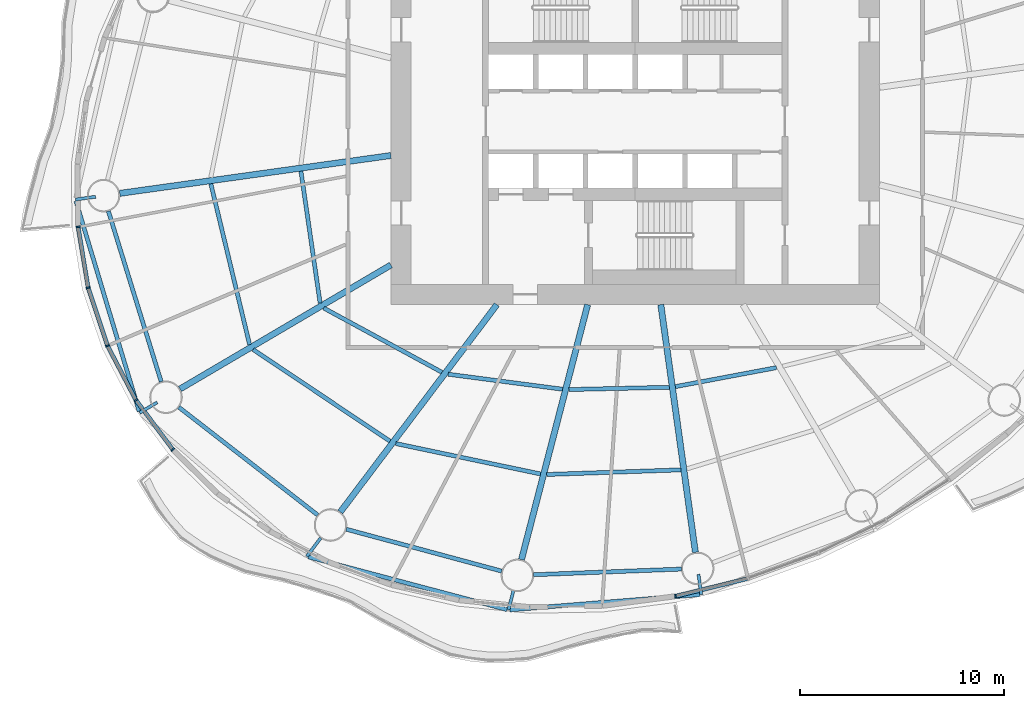
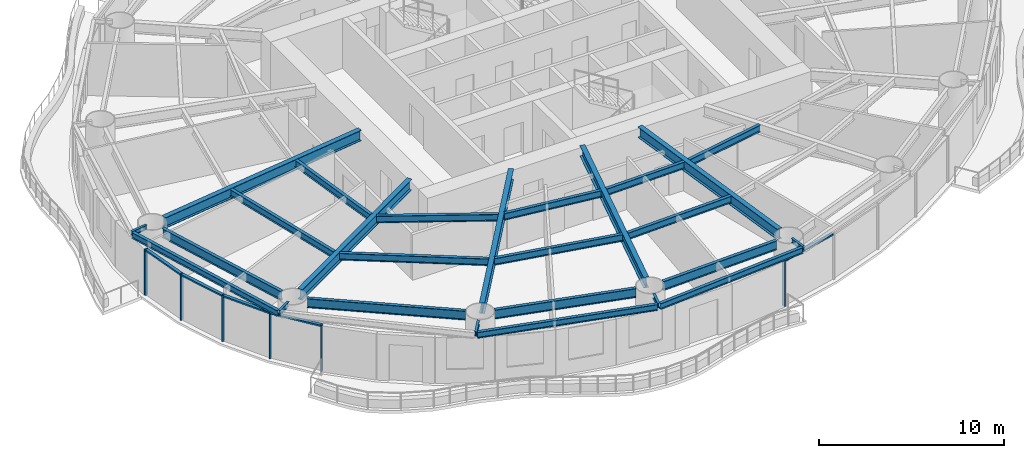
# One storey, part 2 of 14: 26 beams, 11 members, 5 elements without a shape of their own.
"""IFC4 building model written with IfcOpenShell, lengths in metres."""

from ifc_helpers import new_model, si_unit, direction, frame, origin, origin_2d, place, context, subcontext, project, spatial, rectangle, i_section, extrude, material, material_profile, profile_set, type_object, element, aggregate, save


model = new_model("IFC4")

# Units and contexts
model_context = context("Model", 3, precision=1e-05, world=origin(), true_north=direction((0.0, 1.0)))
body_context = subcontext(model_context, "Body", "Model", "MODEL_VIEW")
ifc_project = project(units=[si_unit("LENGTHUNIT", "METRE"), si_unit("AREAUNIT", "SQUARE_METRE"), si_unit("VOLUMEUNIT", "CUBIC_METRE"), si_unit("PLANEANGLEUNIT", "RADIAN"), si_unit("MASSUNIT", "GRAM", prefix="KILO")], contexts=[model_context])

# Site, building, storey
site_placement = place(None, origin())
site = spatial("IfcSite", under=ifc_project, at=site_placement, CompositionType="ELEMENT")
building_placement = place(site_placement, origin())
building = spatial("IfcBuilding", under=site, at=building_placement, Name="Vermilion Reach Broadcast Tower", CompositionType="ELEMENT")
storey_placement = place(building_placement, frame((0.0, 0.0, 124.60009765625)))
storey = spatial("IfcBuildingStorey", under=building, at=storey_placement, Name="L29", CompositionType="ELEMENT", Elevation=124.60009765625)

# Beams
ifc_material_1 = material(Name="Steel S355J2", Category="steel")
ifc_material_profile_1 = material_profile(ifc_material_1, i_section(OverallWidth=0.199951171875, OverallDepth=0.39990234375, WebThickness=0.008056640625, FlangeThickness=0.012939453125, at=origin_2d()), Name="S355J2 HN 400x200x8x13")
ifc_profile_set_1 = profile_set([ifc_material_profile_1], Name="Steel S355J2")
beam_type_1 = type_object("IfcBeamType", Name="EB2 HN 400x200x8x13", PredefinedType="BEAM", material=ifc_profile_set_1)
beam_1_placement = place(storey_placement, frame((-33.4677734375, -3.91162109375, 3.25), z_axis=(0.288145646921, -0.957586594601, 0.0), x_axis=(0.957586594601, 0.288145646921, 0.0)))
element("IfcBeam", 1, at=beam_1_placement, inside=storey, type_object=beam_type_1, Name="Edge beam EB2-08", PredefinedType="BEAM", context=body_context, shape_type="SweptSolid", body=[
    extrude(i_section(OverallWidth=0.199951171875, OverallDepth=0.39990234375, WebThickness=0.008056640625, FlangeThickness=0.012939453125, at=origin_2d()), origin(), (0.0, 0.0, 1.0), 10.780029296875),
])
beam_2_placement = place(storey_placement, frame((-22.052001953125, -21.3876953125, 3.25), z_axis=(0.966518703459, -0.256596172738, 0.0), x_axis=(0.256596172738, 0.966518703459, 0.0)))
element("IfcBeam", 2, at=beam_2_placement, inside=storey, type_object=beam_type_1, Name="Edge beam EB2-10", PredefinedType="BEAM", context=body_context, shape_type="SweptSolid", body=[
    extrude(i_section(OverallWidth=0.199951171875, OverallDepth=0.39990234375, WebThickness=0.008056640625, FlangeThickness=0.012939453125, at=origin_2d()), origin(), (0.0, 0.0, 1.0), 10.08935546875),
])
beam_3_placement = place(storey_placement, frame((-12.14892578125, -23.989501953125, 3.25), z_axis=(0.996787401261, 0.080092925325, 0.0), x_axis=(-0.080092925325, 0.996787401261, 0.0)))
element("IfcBeam", 3, at=beam_3_placement, inside=storey, type_object=beam_type_1, Name="Edge beam EB2-11", PredefinedType="BEAM", context=body_context, shape_type="SweptSolid", body=[
    extrude(i_section(OverallWidth=0.199951171875, OverallDepth=0.39990234375, WebThickness=0.008056640625, FlangeThickness=0.012939453125, at=origin_2d()), origin(), (0.0, 0.0, 1.0), 9.348876953125),
])
ifc_material_2 = material(Name="Steel S355J2", Category="steel")
ifc_material_profile_2 = material_profile(ifc_material_2, i_section(OverallWidth=0.300048828125, OverallDepth=0.699951171875, WebThickness=0.012939453125, FlangeThickness=0.02392578125, at=origin_2d()), Name="S355J2 HN 700x300x13x24")
ifc_profile_set_2 = profile_set([ifc_material_profile_2], Name="Steel S355J2")
beam_type_2 = type_object("IfcBeamType", Name="G2 HN 700x300x13x24", PredefinedType="BEAM", material=ifc_profile_set_2)
beam_4_placement = place(storey_placement, frame((-18.0, -1.67578125, 3.099853515625), z_axis=(-0.990389457618, -0.138306623986, 0.0), x_axis=(0.138306623986, -0.990389457618, 0.0)))
element("IfcBeam", 4, at=beam_4_placement, inside=storey, type_object=beam_type_2, Name="Girder G2-08", PredefinedType="BEAM", context=body_context, shape_type="SweptSolid", body=[
    extrude(i_section(OverallWidth=0.300048828125, OverallDepth=0.699951171875, WebThickness=0.012939453125, FlangeThickness=0.02392578125, at=origin_2d()), origin(), (0.0, 0.0, 1.0), 13.445556640625),
])
beam_5_placement = place(storey_placement, frame((-18.0, -7.054443359375, 3.099853515625), z_axis=(-0.862071616631, -0.506786471603, 0.0), x_axis=(0.506786471603, -0.862071616631, 0.0)))
element("IfcBeam", 5, at=beam_5_placement, inside=storey, type_object=beam_type_2, Name="Girder G2-09", PredefinedType="BEAM", context=body_context, shape_type="SweptSolid", body=[
    extrude(i_section(OverallWidth=0.300048828125, OverallDepth=0.699951171875, WebThickness=0.012939453125, FlangeThickness=0.02392578125, at=origin_2d()), origin(), (0.0, 0.0, 1.0), 12.01025390625),
])
beam_6_placement = place(storey_placement, frame((-12.794189453125, -9.0, 3.099853515625), z_axis=(-0.602519842365, -0.798103902733, 0.0), x_axis=(0.798103902733, -0.602519842365, 0.0)))
element("IfcBeam", 6, at=beam_6_placement, inside=storey, type_object=beam_type_2, Name="Girder G2-10", PredefinedType="BEAM", context=body_context, shape_type="SweptSolid", body=[
    extrude(i_section(OverallWidth=0.300048828125, OverallDepth=0.699951171875, WebThickness=0.012939453125, FlangeThickness=0.02392578125, at=origin_2d()), origin(), (0.0, 0.0, 1.0), 12.758544921875),
])
beam_7_placement = place(storey_placement, frame((-8.3359375, -9.0, 3.099853515625), z_axis=(-0.25121695316, -0.967930804575, 0.0), x_axis=(0.967930804575, -0.25121695316, 0.0)))
element("IfcBeam", 7, at=beam_7_placement, inside=storey, type_object=beam_type_2, Name="Girder G2-11", PredefinedType="BEAM", context=body_context, shape_type="SweptSolid", body=[
    extrude(i_section(OverallWidth=0.300048828125, OverallDepth=0.699951171875, WebThickness=0.012939453125, FlangeThickness=0.02392578125, at=origin_2d()), origin(), (0.0, 0.0, 1.0), 12.93505859375),
])
beam_8_placement = place(storey_placement, frame((-4.7431640625, -9.0, 3.099853515625), z_axis=(0.138317561234, -0.990387930184, 0.0), x_axis=(0.990387930184, 0.138317561234, 0.0)))
element("IfcBeam", 8, at=beam_8_placement, inside=storey, type_object=beam_type_2, Name="Girder G2-12", PredefinedType="BEAM", context=body_context, shape_type="SweptSolid", body=[
    extrude(i_section(OverallWidth=0.300048828125, OverallDepth=0.699951171875, WebThickness=0.012939453125, FlangeThickness=0.02392578125, at=origin_2d()), origin(), (0.0, 0.0, 1.0), 12.281494140625),
])
ifc_material_3 = material(Name="Steel S355J2", Category="steel")
ifc_material_profile_3 = material_profile(ifc_material_3, i_section(OverallWidth=0.14990234375, OverallDepth=0.300048828125, WebThickness=0.006591796875, FlangeThickness=0.009033203125, at=origin_2d()), Name="S355J2 HN 300x150x6.5x9")
ifc_profile_set_3 = profile_set([ifc_material_profile_3], Name="Steel S355J2")
beam_type_3 = type_object("IfcBeamType", Name="GS2 HN 300x150x6.5x9", PredefinedType="BEAM", material=ifc_profile_set_3)
for number, where, z_axis, x_axis, name in (
    (9, (-32.499267578125, -3.70068359375, 3.2998046875), (-0.990408003315, -0.13817375644, 0.0), (0.13817375644, -0.990408003315, 0.0), "Cantilever stub GS2-08"),
    (10, (-29.477294921875, -13.801513671875, 3.2998046875), (-0.862047161964, -0.506828068037, 0.0), (0.506828068037, -0.862047161964, 0.0), "Cantilever stub GS2-09"),
):
    element("IfcBeam", number, at=place(storey_placement, frame(where, z_axis=z_axis, x_axis=x_axis)), inside=storey, type_object=beam_type_3, Name=name, PredefinedType="BEAM", context=body_context, shape_type="SweptSolid", body=[
        extrude(i_section(OverallWidth=0.14990234375, OverallDepth=0.300048828125, WebThickness=0.006591796875, FlangeThickness=0.009033203125, at=origin_2d()), origin(), (0.0, 0.0, 1.0), 1.0),
    ])
beam_9_placement = place(storey_placement, frame((-21.4453125, -20.45947265625, 3.2998046875), z_axis=(-0.602504984048, -0.798115119639, 0.0), x_axis=(0.798115119639, -0.602504984048, 0.0)))
element("IfcBeam", 11, at=beam_9_placement, inside=storey, type_object=beam_type_3, Name="Cantilever stub GS2-10", PredefinedType="BEAM", context=body_context, shape_type="SweptSolid", body=[
    extrude(i_section(OverallWidth=0.14990234375, OverallDepth=0.300048828125, WebThickness=0.006591796875, FlangeThickness=0.009033203125, at=origin_2d()), origin(), (0.0, 0.0, 1.0), 1.136962890625),
])
for number, where, z_axis, x_axis, name in (
    (12, (-11.976806640625, -23.02783203125, 3.2998046875), (-0.251199368006, -0.967935368459, 0.0), (0.967935368459, -0.251199368006, 0.0), "Cantilever stub GS2-11"),
    (13, (-2.8935546875, -22.244384765625, 3.2998046875), (0.138413206764, -0.990374567622, 0.0), (0.990374567622, 0.138413206764, 0.0), "Cantilever stub GS2-12"),
):
    element("IfcBeam", number, at=place(storey_placement, frame(where, z_axis=z_axis, x_axis=x_axis)), inside=storey, type_object=beam_type_3, Name=name, PredefinedType="BEAM", context=body_context, shape_type="SweptSolid", body=[
        extrude(i_section(OverallWidth=0.14990234375, OverallDepth=0.300048828125, WebThickness=0.006591796875, FlangeThickness=0.009033203125, at=origin_2d()), origin(), (0.0, 0.0, 1.0), 1.0),
    ])
ifc_material_4 = material(Name="Steel S355J2", Category="steel")
ifc_material_profile_4 = material_profile(ifc_material_4, i_section(OverallWidth=0.199951171875, OverallDepth=0.60009765625, WebThickness=0.010986328125, FlangeThickness=0.01708984375, at=origin_2d()), Name="S355J2 HN 600x200x11x17")
ifc_profile_set_4 = profile_set([ifc_material_profile_4], Name="Steel S355J2")
beam_type_4 = type_object("IfcBeamType", Name="RB2 HN 600x200x11x17", PredefinedType="BEAM", material=ifc_profile_set_4)
beam_10_placement = place(storey_placement, frame((-31.872314453125, -4.410400390625, 3.14990234375), z_axis=(0.295788439635, -0.95525347368, 0.0), x_axis=(0.95525347368, 0.295788439635, 0.0)))
element("IfcBeam", 14, at=beam_10_placement, inside=storey, type_object=beam_type_4, Name="Ring beam RB2-08", PredefinedType="BEAM", context=body_context, shape_type="SweptSolid", body=[
    extrude(i_section(OverallWidth=0.199951171875, OverallDepth=0.60009765625, WebThickness=0.010986328125, FlangeThickness=0.01708984375, at=origin_2d()), origin(), (0.0, 0.0, 1.0), 8.763916015625),
])
beam_11_placement = place(storey_placement, frame((-28.41162109375, -14.037109375, 3.14990234375), z_axis=(0.789825712432, -0.613331349257, 0.0), x_axis=(0.613331349257, 0.789825712432, 0.0)))
element("IfcBeam", 15, at=beam_11_placement, inside=storey, type_object=beam_type_4, Name="Ring beam RB2-09", PredefinedType="BEAM", context=body_context, shape_type="SweptSolid", body=[
    extrude(i_section(OverallWidth=0.199951171875, OverallDepth=0.60009765625, WebThickness=0.010986328125, FlangeThickness=0.01708984375, at=origin_2d()), origin(), (0.0, 0.0, 1.0), 8.63037109375),
])
beam_12_placement = place(storey_placement, frame((-20.19091796875, -20.029296875, 3.14990234375), z_axis=(0.965541463834, -0.260249268234, 0.0), x_axis=(0.260249268234, 0.965541463834, 0.0)))
element("IfcBeam", 16, at=beam_12_placement, inside=storey, type_object=beam_type_4, Name="Ring beam RB2-10", PredefinedType="BEAM", context=body_context, shape_type="SweptSolid", body=[
    extrude(i_section(OverallWidth=0.199951171875, OverallDepth=0.60009765625, WebThickness=0.010986328125, FlangeThickness=0.01708984375, at=origin_2d()), origin(), (0.0, 0.0, 1.0), 7.904541015625),
])
beam_13_placement = place(storey_placement, frame((-10.987060546875, -22.263916015625, 3.14990234375), z_axis=(0.999268558327, 0.038240663418, 0.0), x_axis=(-0.038240663418, 0.999268558327, 0.0)))
element("IfcBeam", 17, at=beam_13_placement, inside=storey, type_object=beam_type_4, Name="Ring beam RB2-11", PredefinedType="BEAM", context=body_context, shape_type="SweptSolid", body=[
    extrude(i_section(OverallWidth=0.199951171875, OverallDepth=0.60009765625, WebThickness=0.010986328125, FlangeThickness=0.01708984375, at=origin_2d()), origin(), (0.0, 0.0, 1.0), 7.259033203125),
])
ifc_material_5 = material(Name="Steel S355J2", Category="steel")
ifc_material_profile_5 = material_profile(ifc_material_5, i_section(OverallWidth=0.199951171875, OverallDepth=0.449951171875, WebThickness=0.009033203125, FlangeThickness=0.013916015625, at=origin_2d()), Name="S355J2 HN 450x200x9x14")
ifc_profile_set_5 = profile_set([ifc_material_profile_5], Name="Steel S355J2")
beam_type_5 = type_object("IfcBeamType", Name="SB2 HN 450x200x9x14", PredefinedType="BEAM", material=ifc_profile_set_5)
beam_14_placement = place(storey_placement, frame((-22.417236328125, -2.444091796875, 3.224853515625), z_axis=(0.143973706518, -0.989581513485, 0.0), x_axis=(0.989581513485, 0.143973706518, 0.0)))
element("IfcBeam", 18, at=beam_14_placement, inside=storey, type_object=beam_type_5, Name="Secondary beam SB2-08-1", PredefinedType="BEAM", context=body_context, shape_type="SweptSolid", body=[
    extrude(i_section(OverallWidth=0.199951171875, OverallDepth=0.449951171875, WebThickness=0.009033203125, FlangeThickness=0.013916015625, at=origin_2d()), origin(), (0.0, 0.0, 1.0), 6.547119140625),
])
beam_15_placement = place(storey_placement, frame((-26.84228515625, -3.06201171875, 3.224853515625), z_axis=(0.234260568382, -0.972173845617, 0.0), x_axis=(0.972173845617, 0.234260568382, 0.0)))
element("IfcBeam", 19, at=beam_15_placement, inside=storey, type_object=beam_type_5, Name="Secondary beam SB2-08-2", PredefinedType="BEAM", context=body_context, shape_type="SweptSolid", body=[
    extrude(i_section(OverallWidth=0.199951171875, OverallDepth=0.449951171875, WebThickness=0.009033203125, FlangeThickness=0.013916015625, at=origin_2d()), origin(), (0.0, 0.0, 1.0), 8.123779296875),
])
beam_16_placement = place(storey_placement, frame((-21.29736328125, -9.1669921875, 3.224853515625), z_axis=(0.878713106774, -0.477350265512, 0.0), x_axis=(0.477350265512, 0.878713106774, 0.0)))
element("IfcBeam", 20, at=beam_16_placement, inside=storey, type_object=beam_type_5, Name="Secondary beam SB2-09-1", PredefinedType="BEAM", context=body_context, shape_type="SweptSolid", body=[
    extrude(i_section(OverallWidth=0.199951171875, OverallDepth=0.449951171875, WebThickness=0.009033203125, FlangeThickness=0.013916015625, at=origin_2d()), origin(), (0.0, 0.0, 1.0), 6.60888671875),
])
beam_17_placement = place(storey_placement, frame((-24.76416015625, -11.204833984375, 3.224853515625), z_axis=(0.830915400975, -0.556398774641, 0.0), x_axis=(0.556398774641, 0.830915400975, 0.0)))
element("IfcBeam", 21, at=beam_17_placement, inside=storey, type_object=beam_type_5, Name="Secondary beam SB2-09-2", PredefinedType="BEAM", context=body_context, shape_type="SweptSolid", body=[
    extrude(i_section(OverallWidth=0.199951171875, OverallDepth=0.449951171875, WebThickness=0.009033203125, FlangeThickness=0.013916015625, at=origin_2d()), origin(), (0.0, 0.0, 1.0), 8.087646484375),
])
beam_18_placement = place(storey_placement, frame((-15.185546875, -12.416748046875, 3.224853515625), z_axis=(0.991498686864, -0.130116693573, 0.0), x_axis=(0.130116693573, 0.991498686864, 0.0)))
element("IfcBeam", 22, at=beam_18_placement, inside=storey, type_object=beam_type_5, Name="Secondary beam SB2-10-1", PredefinedType="BEAM", context=body_context, shape_type="SweptSolid", body=[
    extrude(i_section(OverallWidth=0.199951171875, OverallDepth=0.449951171875, WebThickness=0.009033203125, FlangeThickness=0.013916015625, at=origin_2d()), origin(), (0.0, 0.0, 1.0), 5.66455078125),
])
beam_19_placement = place(storey_placement, frame((-17.7568359375, -15.822509765625, 3.224853515625), z_axis=(0.978631382549, -0.205622511148, 0.0), x_axis=(0.205622511148, 0.978631382549, 0.0)))
element("IfcBeam", 23, at=beam_19_placement, inside=storey, type_object=beam_type_5, Name="Secondary beam SB2-10-2", PredefinedType="BEAM", context=body_context, shape_type="SweptSolid", body=[
    extrude(i_section(OverallWidth=0.199951171875, OverallDepth=0.449951171875, WebThickness=0.009033203125, FlangeThickness=0.013916015625, at=origin_2d()), origin(), (0.0, 0.0, 1.0), 7.262939453125),
])
beam_20_placement = place(storey_placement, frame((-9.26318359375, -13.169921875, 3.224853515625), z_axis=(0.999742320425, 0.022700060602, 0.0), x_axis=(-0.022700060602, 0.999742320425, 0.0)))
element("IfcBeam", 24, at=beam_20_placement, inside=storey, type_object=beam_type_5, Name="Secondary beam SB2-11-1", PredefinedType="BEAM", context=body_context, shape_type="SweptSolid", body=[
    extrude(i_section(OverallWidth=0.199951171875, OverallDepth=0.449951171875, WebThickness=0.009033203125, FlangeThickness=0.013916015625, at=origin_2d()), origin(), (0.0, 0.0, 1.0), 4.9365234375),
])
beam_21_placement = place(storey_placement, frame((-10.345947265625, -17.34130859375, 3.224853515625), z_axis=(0.999404722387, 0.03449928797, 0.0), x_axis=(-0.03449928797, 0.999404722387, 0.0)))
element("IfcBeam", 25, at=beam_21_placement, inside=storey, type_object=beam_type_5, Name="Secondary beam SB2-11-2", PredefinedType="BEAM", context=body_context, shape_type="SweptSolid", body=[
    extrude(i_section(OverallWidth=0.199951171875, OverallDepth=0.449951171875, WebThickness=0.009033203125, FlangeThickness=0.013916015625, at=origin_2d()), origin(), (0.0, 0.0, 1.0), 6.58837890625),
])
beam_22_placement = place(storey_placement, frame((-4.029296875, -13.026611328125, 3.224853515625), z_axis=(0.982782890015, 0.184764149915, 0.0), x_axis=(-0.184764149915, 0.982782890015, 0.0)))
element("IfcBeam", 26, at=beam_22_placement, inside=storey, type_object=beam_type_5, Name="Secondary beam SB2-12-1", PredefinedType="BEAM", context=body_context, shape_type="SweptSolid", body=[
    extrude(i_section(OverallWidth=0.199951171875, OverallDepth=0.449951171875, WebThickness=0.009033203125, FlangeThickness=0.013916015625, at=origin_2d()), origin(), (0.0, 0.0, 1.0), 5.051513671875),
])

# Curtain wall, member
ifc_material_6 = material(Name="Low-e laminated clear glass in aluminium frame", Category="aluminium")
curtain_wall_type = type_object("IfcCurtainWallType", Name="Slot curtain wall", PredefinedType="NOTDEFINED", material=ifc_material_6)
placement = place(storey_placement, origin())
curtain_wall_1 = element("IfcCurtainWall", 27, at=placement, inside=storey, type_object=curtain_wall_type, Name="Slot curtain wall L29 22", PredefinedType="NOTDEFINED")
ifc_material_7 = material(Name="Anodised aluminium", Category="aluminium")
ifc_material_profile_6 = material_profile(ifc_material_7, rectangle(XDim=0.199951171875, YDim=0.080078125, at=origin_2d()), Name="Slot mullion 80 x 200")
ifc_profile_set_6 = profile_set([ifc_material_profile_6], Name="Anodised aluminium")
member_type_1 = type_object("IfcMemberType", Name="Slot mullion 80 x 200", PredefinedType="MULLION", material=ifc_profile_set_6)
member_1_placement = place(storey_placement, frame((-33.362060546875, -5.178955078125, 0.0), z_axis=(0.0, 0.0, 1.0), x_axis=(0.996245378939, 0.086574505149, 0.0)))
member_1 = element("IfcMember", 28, at=member_1_placement, type_object=member_type_1, Name="Slot mullion L29 22", PredefinedType="MULLION", context=body_context, shape_type="SweptSolid", body=[
    extrude(rectangle(XDim=0.199951171875, YDim=0.080078125, at=origin_2d()), origin(), (0.0, 0.0, 1.0), 3.0498046875),
])

curtain_wall_2 = element("IfcCurtainWall", 29, at=placement, inside=storey, type_object=curtain_wall_type, Name="Slot curtain wall L29 23", PredefinedType="NOTDEFINED")
member_2_placement = place(storey_placement, frame((-32.866943359375, -8.170166015625, 0.0), z_axis=(0.0, 0.0, 1.0), x_axis=(0.970585827823, 0.240755375493, 0.0)))
member_2 = element("IfcMember", 30, at=member_2_placement, type_object=member_type_1, Name="Slot mullion L29 23", PredefinedType="MULLION", context=body_context, shape_type="SweptSolid", body=[
    extrude(rectangle(XDim=0.199951171875, YDim=0.080078125, at=origin_2d()), origin(), (0.0, 0.0, 1.0), 3.0498046875),
])

curtain_wall_3 = element("IfcCurtainWall", 31, at=placement, inside=storey, type_object=curtain_wall_type, Name="Slot curtain wall L29 24", PredefinedType="NOTDEFINED")
member_3_placement = place(storey_placement, frame((-31.914794921875, -11.021484375, 0.0), z_axis=(0.0, 0.0, 1.0), x_axis=(0.92023186268, 0.391373630828, 0.0)))
member_3 = element("IfcMember", 32, at=member_3_placement, type_object=member_type_1, Name="Slot mullion L29 24", PredefinedType="MULLION", context=body_context, shape_type="SweptSolid", body=[
    extrude(rectangle(XDim=0.199951171875, YDim=0.080078125, at=origin_2d()), origin(), (0.0, 0.0, 1.0), 3.0498046875),
])

# Curtain wall, members
curtain_wall_4 = element("IfcCurtainWall", 33, at=placement, inside=storey, type_object=curtain_wall_type, Name="Slot curtain wall L29 25", PredefinedType="NOTDEFINED")
member_4_placement = place(storey_placement, frame((-30.521484375, -13.685302734375, 0.0), z_axis=(0.0, 0.0, 1.0), x_axis=(0.846668309003, 0.53212101493, 0.0)))
member_4 = element("IfcMember", 34, at=member_4_placement, type_object=member_type_1, Name="Slot mullion L29 25", PredefinedType="MULLION", context=body_context, shape_type="SweptSolid", body=[
    extrude(rectangle(XDim=0.199951171875, YDim=0.080078125, at=origin_2d()), origin(), (0.0, 0.0, 1.0), 3.0498046875),
])
member_5_placement = place(storey_placement, frame((-28.7099609375, -16.11669921875, 0.0), z_axis=(0.0, 0.0, 1.0), x_axis=(0.753409199154, 0.657551958882, 0.0)))
member_5 = element("IfcMember", 35, at=member_5_placement, type_object=member_type_1, Name="Slot mullion L29 26", PredefinedType="MULLION", context=body_context, shape_type="SweptSolid", body=[
    extrude(rectangle(XDim=0.199951171875, YDim=0.080078125, at=origin_2d()), origin(), (0.0, 0.0, 1.0), 3.0498046875),
])

# Curtain wall, member
curtain_wall_5 = element("IfcCurtainWall", 36, at=placement, inside=storey, type_object=curtain_wall_type, Name="Slot curtain wall L29 34", PredefinedType="NOTDEFINED")
member_6_placement = place(storey_placement, frame((-4.017333984375, -23.31884765625, 0.0), z_axis=(0.0, 0.0, 1.0), x_axis=(-0.184620372171, 0.982809909484, 0.0)))
member_6 = element("IfcMember", 37, at=member_6_placement, type_object=member_type_1, Name="Slot mullion L29 34", PredefinedType="MULLION", context=body_context, shape_type="SweptSolid", body=[
    extrude(rectangle(XDim=0.199951171875, YDim=0.080078125, at=origin_2d()), origin(), (0.0, 0.0, 1.0), 3.0498046875),
])

# Member
ifc_material_8 = material(Name="Anodised aluminium", Category="aluminium")
ifc_material_profile_7 = material_profile(ifc_material_8, rectangle(XDim=0.199951171875, YDim=0.10009765625, at=origin_2d()), Name="Slot transom 200 x 100")
ifc_profile_set_7 = profile_set([ifc_material_profile_7], Name="Anodised aluminium")
member_type_2 = type_object("IfcMemberType", Name="Slot transom 200 x 100", PredefinedType="USERDEFINED", material=ifc_profile_set_7)
member_7_placement = place(storey_placement, frame((-33.35546875, -5.21826171875, 3.0), z_axis=(0.163258895088, -0.98658326216, 0.0), x_axis=(0.98658326216, 0.163258895088, 0.0)))
member_7 = element("IfcMember", 38, at=member_7_placement, type_object=member_type_2, Name="Slot transom L29 22.1", ObjectType="TRANSOM", PredefinedType="USERDEFINED", context=body_context, shape_type="SweptSolid", body=[
    extrude(rectangle(XDim=0.199951171875, YDim=0.10009765625, at=origin_2d()), origin(), (0.0, 0.0, 1.0), 2.951904296875),
])

aggregate(curtain_wall_1, [member_1, member_7])

member_8_placement = place(storey_placement, frame((-32.854248046875, -8.2080078125, 3.0), z_axis=(0.316703281793, -0.948524660355, 0.0), x_axis=(0.948524660355, 0.316703281793, 0.0)))
member_8 = element("IfcMember", 39, at=member_8_placement, type_object=member_type_2, Name="Slot transom L29 23.1", ObjectType="TRANSOM", PredefinedType="USERDEFINED", context=body_context, shape_type="SweptSolid", body=[
    extrude(rectangle(XDim=0.199951171875, YDim=0.10009765625, at=origin_2d()), origin(), (0.0, 0.0, 1.0), 2.92626953125),
])

aggregate(curtain_wall_2, [member_2, member_8])

member_9_placement = place(storey_placement, frame((-31.896240234375, -11.056884765625, 3.0), z_axis=(0.463458221814, -0.886118771177, 0.0), x_axis=(0.886118771177, 0.463458221814, 0.0)))
member_9 = element("IfcMember", 40, at=member_9_placement, type_object=member_type_2, Name="Slot transom L29 24.1", ObjectType="TRANSOM", PredefinedType="USERDEFINED", context=body_context, shape_type="SweptSolid", body=[
    extrude(rectangle(XDim=0.199951171875, YDim=0.10009765625, at=origin_2d()), origin(), (0.0, 0.0, 1.0), 2.92626953125),
])

aggregate(curtain_wall_3, [member_3, member_9])

member_10_placement = place(storey_placement, frame((-30.49755859375, -13.71728515625, 3.0), z_axis=(0.597416674403, -0.801930992758, 0.0), x_axis=(0.801930992758, 0.597416674403, 0.0)))
member_10 = element("IfcMember", 41, at=member_10_placement, type_object=member_type_2, Name="Slot transom L29 25.1", ObjectType="TRANSOM", PredefinedType="USERDEFINED", context=body_context, shape_type="SweptSolid", body=[
    extrude(rectangle(XDim=0.199951171875, YDim=0.10009765625, at=origin_2d()), origin(), (0.0, 0.0, 1.0), 2.9521484375),
])

aggregate(curtain_wall_4, [member_4, member_5, member_10])

member_11_placement = place(storey_placement, frame((-3.978515625, -23.309326171875, 3.0), z_axis=(0.971209952718, 0.238225161855, 0.0), x_axis=(-0.238225161855, 0.971209952718, 0.0)))
member_11 = element("IfcMember", 42, at=member_11_placement, type_object=member_type_2, Name="Slot transom L29 34.1", ObjectType="TRANSOM", PredefinedType="USERDEFINED", context=body_context, shape_type="SweptSolid", body=[
    extrude(rectangle(XDim=0.199951171875, YDim=0.10009765625, at=origin_2d()), origin(), (0.0, 0.0, 1.0), 3.5869140625),
])

aggregate(curtain_wall_5, [member_6, member_11])

save(model, "model.ifc")
